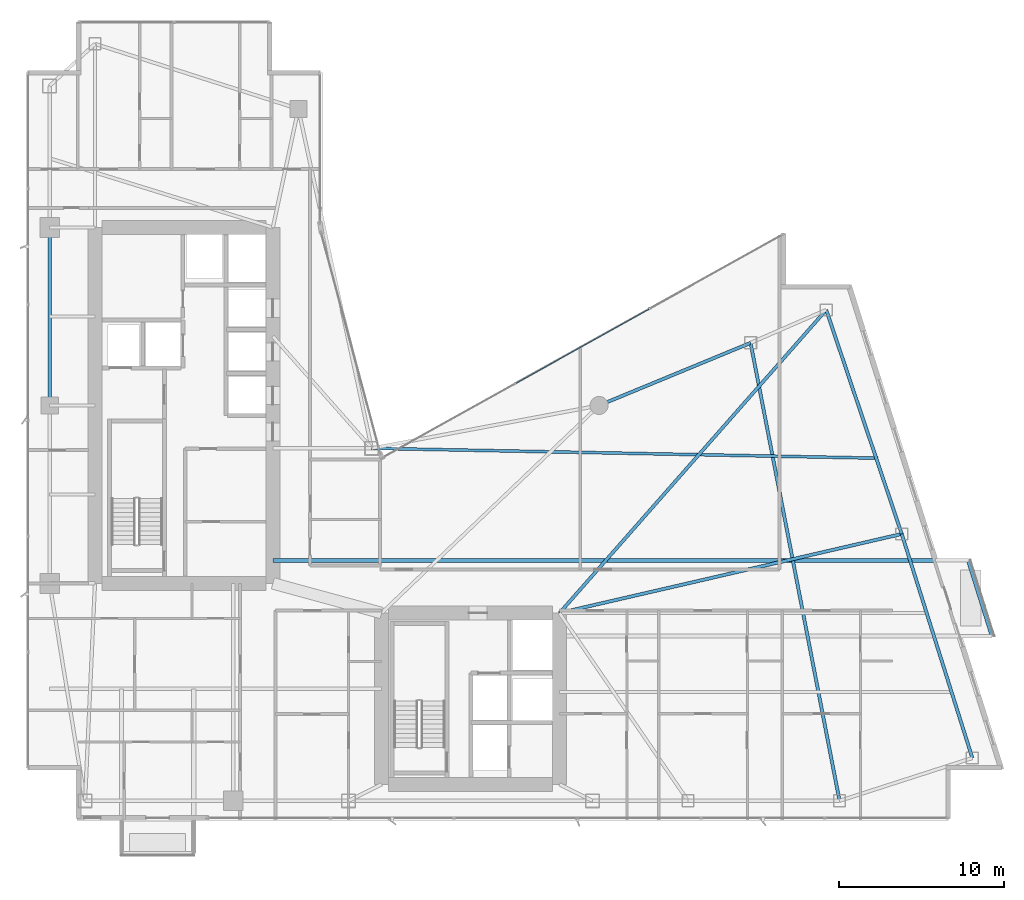
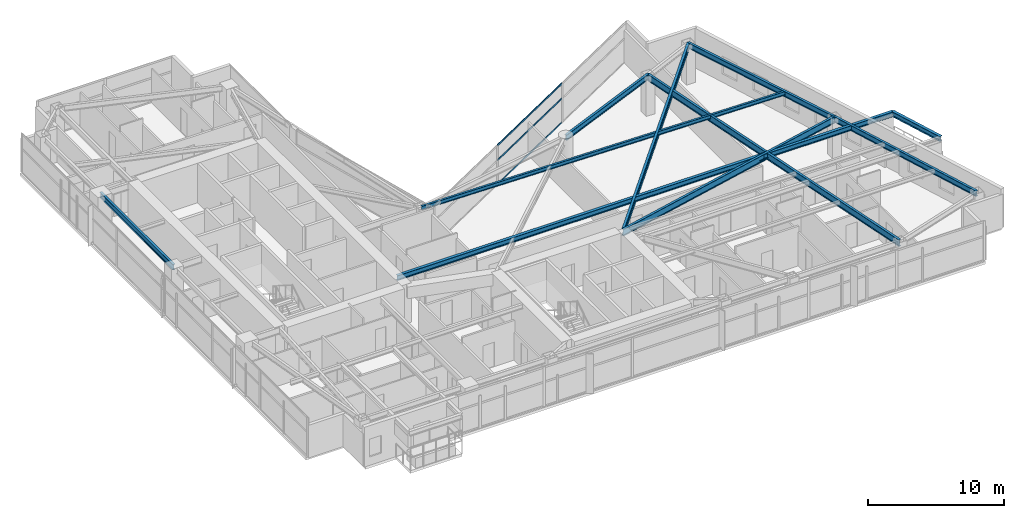
# One storey, part 15 of 28: 10 beams, 3 members, 1 element without a shape of its own.
"""IFC4 building model written with IfcOpenShell, lengths in metres."""

from ifc_helpers import new_model, si_unit, direction, frame, origin, origin_2d, place, context, subcontext, project, spatial, hollow_rectangle, i_section, extrude, material, layer, layer_set, material_profile, profile_set, type_object, element, aggregate, save


model = new_model("IFC4")

# Units and contexts
model_context = context("Model", 3, precision=1e-05, world=origin(), true_north=direction((0.0, 1.0)))
body_context = subcontext(model_context, "Body", "Model", "MODEL_VIEW")
ifc_project = project(units=[si_unit("LENGTHUNIT", "METRE"), si_unit("AREAUNIT", "SQUARE_METRE"), si_unit("VOLUMEUNIT", "CUBIC_METRE"), si_unit("PLANEANGLEUNIT", "RADIAN"), si_unit("MASSUNIT", "GRAM", prefix="KILO")], contexts=[model_context])

# Site, building, storey
site_placement = place(None, origin())
site = spatial("IfcSite", under=ifc_project, at=site_placement, CompositionType="ELEMENT")
building_placement = place(site_placement, origin())
building = spatial("IfcBuilding", under=site, at=building_placement, Name="Calvorn Quay Hotel", CompositionType="ELEMENT")
storey_placement = place(building_placement, frame((0.0, 0.0, 152.300048828125)))
storey = spatial("IfcBuildingStorey", under=building, at=storey_placement, Name="L37", CompositionType="ELEMENT", Elevation=152.300048828125)

# Beams
ifc_material_1 = material(Name="Steel Q355B", Category="steel")
ifc_material_profile_1 = material_profile(ifc_material_1, i_section(OverallWidth=0.25, OverallDepth=0.449951171875, WebThickness=0.011962890625, FlangeThickness=0.01611328125, FilletRadius=0.01611328125, at=origin_2d()), Name="HN450x250x12x16")
ifc_profile_set_1 = profile_set([ifc_material_profile_1], Name="Steel Q355B")
beam_type_1 = type_object("IfcBeamType", Name="BM-CANT-BALC", PredefinedType="BEAM", material=ifc_profile_set_1)
beam_1_placement = place(storey_placement, frame((15.0, 18.199951171875, 3.31494140625), z_axis=(1.0, 0.0, 0.0), x_axis=(0.0, 1.0, 0.0)))
element("IfcBeam", 1, at=beam_1_placement, inside=storey, type_object=beam_type_1, Name="Cantilever Balcony Beam BCB-L38-1B", PredefinedType="BEAM", context=body_context, shape_type="SweptSolid", body=[
    extrude(i_section(OverallWidth=0.25, OverallDepth=0.449951171875, WebThickness=0.011962890625, FlangeThickness=0.01611328125, FilletRadius=0.01611328125, at=origin_2d()), origin(), (0.0, 0.0, 1.0), 42.219970703125),
])
beam_2_placement = place(storey_placement, frame((58.6689453125, 13.60009765625, 3.31494140625), z_axis=(-0.300450487966, 0.953797412599, 0.0), x_axis=(-0.953797412599, -0.300450487966, 0.0)))
element("IfcBeam", 2, at=beam_2_placement, inside=storey, type_object=beam_type_1, Name="Beam BCBO-L38-1", PredefinedType="BEAM", context=body_context, shape_type="SweptSolid", body=[
    extrude(i_section(OverallWidth=0.25, OverallDepth=0.449951171875, WebThickness=0.011962890625, FlangeThickness=0.01611328125, FilletRadius=0.01611328125, at=origin_2d()), origin(), (0.0, 0.0, 1.0), 4.82275390625),
])
ifc_material_2 = material(Name="Steel Q355B", Category="steel")
ifc_material_profile_2 = material_profile(ifc_material_2, i_section(OverallWidth=0.199951171875, OverallDepth=0.60009765625, WebThickness=0.010986328125, FlangeThickness=0.01708984375, FilletRadius=0.01806640625, at=origin_2d()), Name="HN600x200x11x17")
ifc_profile_set_2 = profile_set([ifc_material_profile_2], Name="Steel Q355B")
beam_type_2 = type_object("IfcBeamType", Name="BM-GIRD-TYP", PredefinedType="BEAM", material=ifc_profile_set_2)
beam_3_placement = place(storey_placement, frame((32.39990234375, 15.0, 3.239990234375), z_axis=(0.974334045812, 0.225107012711, 0.0), x_axis=(-0.225107012711, 0.974334045812, 0.0)))
element("IfcBeam", 3, at=beam_3_placement, inside=storey, type_object=beam_type_2, Name="Beam BG-L37-E2", PredefinedType="BEAM", context=body_context, shape_type="SweptSolid", body=[
    extrude(i_section(OverallWidth=0.199951171875, OverallDepth=0.60009765625, WebThickness=0.010986328125, FlangeThickness=0.01708984375, FilletRadius=0.01806640625, at=origin_2d()), origin(), (0.0, 0.0, 1.0), 21.323486328125),
])
beam_4_placement = place(storey_placement, frame((32.39990234375, 15.0, 3.239990234375), z_axis=(0.660610604248, 0.750728732336, 0.0), x_axis=(-0.750728732336, 0.660610604248, 0.0)))
element("IfcBeam", 4, at=beam_4_placement, inside=storey, type_object=beam_type_2, Name="Beam BG-L37-E3", PredefinedType="BEAM", context=body_context, shape_type="SweptSolid", body=[
    extrude(i_section(OverallWidth=0.199951171875, OverallDepth=0.60009765625, WebThickness=0.010986328125, FlangeThickness=0.01708984375, FilletRadius=0.01806640625, at=origin_2d()), origin(), (0.0, 0.0, 1.0), 24.50927734375),
])
beam_5_placement = place(storey_placement, frame((49.39990234375, 3.60009765625, 3.239990234375), z_axis=(-0.190678596862, 0.981652521363, 0.0), x_axis=(-0.981652521363, -0.190678596862, 0.0)))
element("IfcBeam", 5, at=beam_5_placement, inside=storey, type_object=beam_type_2, Name="Beam BG-L37-E5", PredefinedType="BEAM", context=body_context, shape_type="SweptSolid", body=[
    extrude(i_section(OverallWidth=0.199951171875, OverallDepth=0.60009765625, WebThickness=0.010986328125, FlangeThickness=0.01708984375, FilletRadius=0.01806640625, at=origin_2d()), origin(), (0.0, 0.0, 1.0), 28.3193359375),
])
ifc_material_3 = material(Name="Steel Q355B", Category="steel")
ifc_material_profile_3 = material_profile(ifc_material_3, i_section(OverallWidth=0.175048828125, OverallDepth=0.35009765625, WebThickness=0.007080078125, FlangeThickness=0.010986328125, FilletRadius=0.013916015625, at=origin_2d()), Name="HN350x175x7x11")
ifc_profile_set_3 = profile_set([ifc_material_profile_3], Name="Steel Q355B")
beam_type_3 = type_object("IfcBeamType", Name="BM-JOIST-SEC", PredefinedType="JOIST", material=ifc_profile_set_3)
beam_6_placement = place(storey_placement, frame((21.0, 25.0, 3.364990234375), z_axis=(0.999809345134, -0.019526222968, 0.0), x_axis=(0.019526222968, 0.999809345134, 0.0)))
element("IfcBeam", 6, at=beam_6_placement, inside=storey, type_object=beam_type_3, Name="Beam BJ-L37-E3", PredefinedType="JOIST", context=body_context, shape_type="SweptSolid", body=[
    extrude(i_section(OverallWidth=0.175048828125, OverallDepth=0.35009765625, WebThickness=0.007080078125, FlangeThickness=0.010986328125, FilletRadius=0.013916015625, at=origin_2d()), origin(), (0.0, 0.0, 1.0), 30.73291015625),
])
ifc_material_4 = material(Name="Steel Q355B", Category="steel")
ifc_material_profile_4 = material_profile(ifc_material_4, i_section(OverallWidth=0.199951171875, OverallDepth=0.5, WebThickness=0.010009765625, FlangeThickness=0.01611328125, FilletRadius=0.01611328125, at=origin_2d()), Name="HN500x200x10x16")
ifc_profile_set_4 = profile_set([ifc_material_profile_4], Name="Steel Q355B")
beam_type_4 = type_object("IfcBeamType", Name="BM-SPANDREL-Z1", PredefinedType="SPANDREL", material=ifc_profile_set_4)
beam_7_placement = place(storey_placement, frame((1.449951171875, 27.60009765625, 3.2900390625), z_axis=(0.0, 1.0, 0.0), x_axis=(-1.0, 0.0, 0.0)))
element("IfcBeam", 7, at=beam_7_placement, inside=storey, type_object=beam_type_4, Name="Beam BSP-L37-W3", PredefinedType="SPANDREL", context=body_context, shape_type="SweptSolid", body=[
    extrude(i_section(OverallWidth=0.199951171875, OverallDepth=0.5, WebThickness=0.010009765625, FlangeThickness=0.01611328125, FilletRadius=0.01611328125, at=origin_2d()), origin(), (0.0, 0.0, 1.0), 10.7998046875),
])
beam_8_placement = place(storey_placement, frame((57.4609375, 6.199951171875, 3.2900390625), z_axis=(-0.300502802767, 0.953780931624, 0.0), x_axis=(-0.953780931624, -0.300502802767, 0.0)))
element("IfcBeam", 8, at=beam_8_placement, inside=storey, type_object=beam_type_4, Name="Beam BSP-L37-E1", PredefinedType="SPANDREL", context=body_context, shape_type="SweptSolid", body=[
    extrude(i_section(OverallWidth=0.199951171875, OverallDepth=0.5, WebThickness=0.010009765625, FlangeThickness=0.01611328125, FilletRadius=0.01611328125, at=origin_2d()), origin(), (0.0, 0.0, 1.0), 14.259033203125),
])
beam_9_placement = place(storey_placement, frame((53.176025390625, 19.800048828125, 3.2900390625), z_axis=(-0.319466515944, 0.947597564998, 0.0), x_axis=(-0.947597564998, -0.319466515944, 0.0)))
element("IfcBeam", 9, at=beam_9_placement, inside=storey, type_object=beam_type_4, Name="Beam BSP-L37-E2", PredefinedType="SPANDREL", context=body_context, shape_type="SweptSolid", body=[
    extrude(i_section(OverallWidth=0.199951171875, OverallDepth=0.5, WebThickness=0.010009765625, FlangeThickness=0.01611328125, FilletRadius=0.01611328125, at=origin_2d()), origin(), (0.0, 0.0, 1.0), 14.35205078125),
])
beam_10_placement = place(storey_placement, frame((44.0, 31.39990234375, 3.2900390625), z_axis=(-0.92426763497, -0.381745123017, 0.0), x_axis=(0.381745123017, -0.92426763497, 0.0)))
element("IfcBeam", 10, at=beam_10_placement, inside=storey, type_object=beam_type_4, Name="Beam BSP-L37-E4", PredefinedType="SPANDREL", context=body_context, shape_type="SweptSolid", body=[
    extrude(i_section(OverallWidth=0.199951171875, OverallDepth=0.5, WebThickness=0.010009765625, FlangeThickness=0.01611328125, FilletRadius=0.01611328125, at=origin_2d()), origin(), (0.0, 0.0, 1.0), 9.953857421875),
])

# Curtain wall, members
ifc_material_5 = material(Name="Pale Anodised Aluminium and Low-E Glass", Category="aluminium")
ifc_layer = layer(ifc_material_5, 0.219970703125)
ifc_layer_set = layer_set([ifc_layer], Name="CW-SYS-Z2")
curtain_wall_type = type_object("IfcCurtainWallType", Name="CW-SYS-Z2", PredefinedType="NOTDEFINED", material=ifc_layer_set)
curtain_wall_placement = place(storey_placement, origin())
curtain_wall = element("IfcCurtainWall", 11, at=curtain_wall_placement, inside=storey, type_object=curtain_wall_type, Name="Inner Court Curtain Wall L37-NE1", PredefinedType="NOTDEFINED")
ifc_material_6 = material(Name="Pale Anodised Aluminium 6063-T6", Category="aluminium")
ifc_material_profile_5 = material_profile(ifc_material_6, hollow_rectangle(XDim=0.06005859375, YDim=0.14990234375, WallThickness=0.00341796875, at=origin_2d()), Name="ALU-T150x60x3.5")
ifc_profile_set_5 = profile_set([ifc_material_profile_5], Name="Pale Anodised Aluminium 6063-T6")
member_type = type_object("IfcMemberType", Name="CW-SYS-Z2-TRN", PredefinedType="USERDEFINED", material=ifc_profile_set_5)
member_1_placement = place(storey_placement, frame((37.840576171875, 33.4521484375, 0.030029296875), z_axis=(-0.873483012802, -0.486854625474, 0.0), x_axis=(0.486854625474, -0.873483012802, 0.0)))
member_1 = element("IfcMember", 12, at=member_1_placement, type_object=member_type, Name="CW-L37-NE1 transom 2.1", ObjectType="TRANSOM", PredefinedType="USERDEFINED", context=body_context, shape_type="SweptSolid", body=[
    extrude(hollow_rectangle(XDim=0.06005859375, YDim=0.14990234375, WallThickness=0.00341796875, at=origin_2d()), origin(), (0.0, 0.0, 1.0), 9.25146484375),
])
member_2_placement = place(storey_placement, frame((37.840576171875, 33.4521484375, 2.199951171875), z_axis=(-0.873483012802, -0.486854625474, 0.0), x_axis=(0.486854625474, -0.873483012802, 0.0)))
member_2 = element("IfcMember", 13, at=member_2_placement, type_object=member_type, Name="CW-L37-NE1 transom 2.2", ObjectType="TRANSOM", PredefinedType="USERDEFINED", context=body_context, shape_type="SweptSolid", body=[
    extrude(hollow_rectangle(XDim=0.06005859375, YDim=0.14990234375, WallThickness=0.00341796875, at=origin_2d()), origin(), (0.0, 0.0, 1.0), 9.25146484375),
])
member_3_placement = place(storey_placement, frame((37.840576171875, 33.4521484375, 3.530029296875), z_axis=(-0.873483012802, -0.486854625474, 0.0), x_axis=(0.486854625474, -0.873483012802, 0.0)))
member_3 = element("IfcMember", 14, at=member_3_placement, type_object=member_type, Name="CW-L37-NE1 transom 2.3", ObjectType="TRANSOM", PredefinedType="USERDEFINED", context=body_context, shape_type="SweptSolid", body=[
    extrude(hollow_rectangle(XDim=0.06005859375, YDim=0.14990234375, WallThickness=0.00341796875, at=origin_2d()), origin(), (0.0, 0.0, 1.0), 9.25146484375),
])
aggregate(curtain_wall, [member_1, member_2, member_3])

save(model, "model.ifc")
